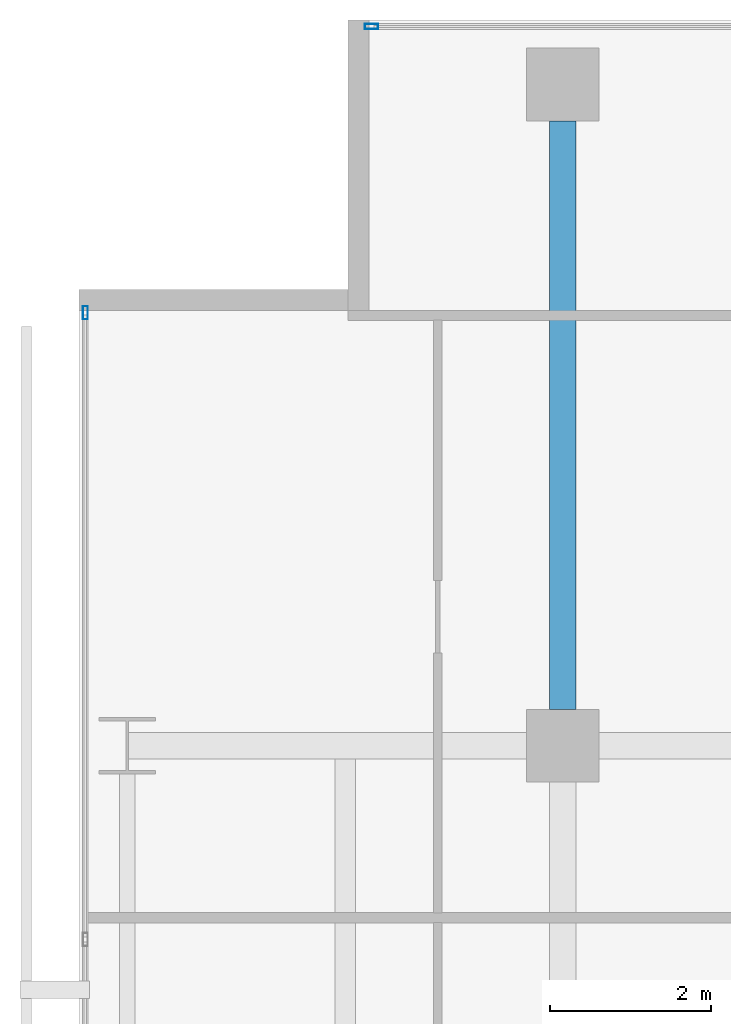
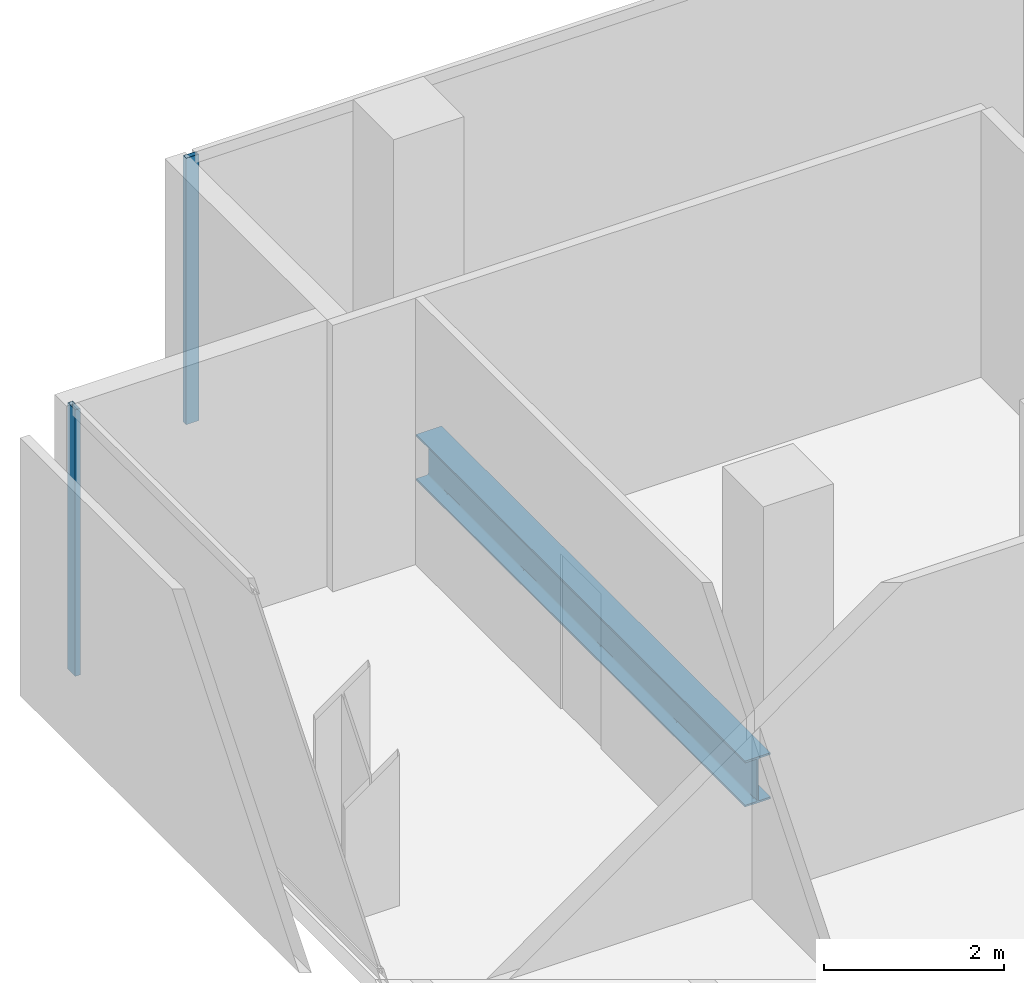
# One storey, part 25 of 40: 2 members, 1 beam, 2 elements without a shape of their own.
"""IFC4 building model written with IfcOpenShell, lengths in metres."""

import ifcopenshell
import ifcopenshell.guid

model = None  # the IFC model being written
_history = None  # IfcOwnerHistory: only IFC2X3 demands one
_inside = {}  # id of a spatial element -> (the spatial element, [elements in it])
_under = {}  # id of a project, library or spatial element -> (it, [spatial elements below it])
_declared = {}  # id of a project -> (the project, [libraries it declares])
_typed = {}  # id of a type object -> (the type object, [elements of that type])
_made_of = {}  # id of a material, layer set ... -> (it, [elements and type objects made of it])


def new_model(schema):
    """Start an empty IFC model of exactly this schema.

    Asked for "IFC4X3", IfcOpenShell would pick the latest addendum, in which some entities
    have other attributes; the version numbers below select the first issue.
    IFC2X3 requires an IfcOwnerHistory on every rooted entity: one is made here for all.
    """
    global model, _history
    if schema == "IFC4X3":
        model = ifcopenshell.file(schema_version=(4, 3, 0, 0))
    else:
        model = ifcopenshell.file(schema=schema)
    _inside.clear()
    _under.clear()
    _declared.clear()
    _typed.clear()
    _made_of.clear()
    _history = None
    if model.schema == "IFC2X3":
        org = make("IfcOrganization", Name="unknown")
        user = make(
            "IfcPersonAndOrganization",
            ThePerson=make("IfcPerson", FamilyName="unknown"),
            TheOrganization=org,
        )
        app = make(
            "IfcApplication",
            ApplicationDeveloper=org,
            Version="unknown",
            ApplicationFullName="unknown",
            ApplicationIdentifier="unknown",
        )
        _history = make(
            "IfcOwnerHistory",
            OwningUser=user,
            OwningApplication=app,
            ChangeAction="ADDED",
            CreationDate=0,
        )
    return model


def make(cls, **values):
    """One entity of the class cls with the attributes given. An attribute that is None is left unset."""
    return model.create_entity(
        cls, **{name: value for name, value in values.items() if value is not None}
    )


def rooted(cls, **values):
    """An entity with a GlobalId (a new one), such as an element, a storey or a relation."""
    return make(cls, GlobalId=ifcopenshell.guid.new(), OwnerHistory=_history, **values)


def si_unit(unit_type, name, prefix=None):
    """IfcSIUnit, for example si_unit("LENGTHUNIT", "METRE", prefix="MILLI")."""
    return make("IfcSIUnit", UnitType=unit_type, Prefix=prefix, Name=name)


def assignment(units):
    """IfcUnitAssignment: the units of a project."""
    return None if units is None else make("IfcUnitAssignment", Units=units)


def point(xyz):
    """IfcCartesianPoint."""
    return None if xyz is None else make("IfcCartesianPoint", Coordinates=xyz)


def direction(xyz):
    """IfcDirection."""
    return None if xyz is None else make("IfcDirection", DirectionRatios=xyz)


def frame(location, z_axis=None, x_axis=None):
    """IfcAxis2Placement3D, a coordinate frame: its origin and axes. An axis left out is left unset."""
    return make(
        "IfcAxis2Placement3D",
        Location=point(location),
        Axis=direction(z_axis),
        RefDirection=direction(x_axis),
    )


def frame_2d(location, x_axis=None):
    """IfcAxis2Placement2D, a coordinate frame in the plane: its origin and x axis."""
    return make(
        "IfcAxis2Placement2D", Location=point(location), RefDirection=direction(x_axis)
    )


def origin():
    """The frame at (0, 0, 0) with its axes left unset."""
    return frame((0.0, 0.0, 0.0))


def origin_2d():
    """The frame at (0, 0) in the plane with its x axis left unset."""
    return frame_2d((0.0, 0.0))


def place(relative_to, where):
    """IfcLocalPlacement: puts the frame where relative to a parent placement (None: the world)."""
    return make(
        "IfcLocalPlacement", PlacementRelTo=relative_to, RelativePlacement=where
    )


def context(
    kind, dimensions, precision=None, world=None, true_north=None, identifier=None
):
    """IfcGeometricRepresentationContext, for example the 3D "Model" context."""
    return make(
        "IfcGeometricRepresentationContext",
        ContextIdentifier=identifier,
        ContextType=kind,
        CoordinateSpaceDimension=dimensions,
        Precision=precision,
        WorldCoordinateSystem=world,
        TrueNorth=true_north,
    )


def subcontext(parent, identifier, kind, view, scale=None):
    """IfcGeometricRepresentationSubContext, for example "Body" below "Model"."""
    return make(
        "IfcGeometricRepresentationSubContext",
        ContextIdentifier=identifier,
        ContextType=kind,
        ParentContext=parent,
        TargetScale=scale,
        TargetView=view,
    )


def project(units=None, contexts=None):
    """IfcProject with its units and contexts."""
    return rooted(
        "IfcProject",
        Name="project",
        RepresentationContexts=contexts,
        UnitsInContext=assignment(units),
    )


def spatial(cls, under=None, at=None, **own):
    """A site, building, storey or space (cls), placed at a placement, below another one or the project."""
    s = rooted(cls, ObjectPlacement=at, **own)
    if under is not None:
        _under.setdefault(under.id(), (under, []))[1].append(s)
    return s


def profile(cls, at=None, kind="AREA", **sizes):
    """A parametric profile (cls). Its sizes go by their IFC names, for example OverallWidth=200.0."""
    return make(cls, ProfileType=kind, Position=at, **sizes)


def hollow_rectangle(**sizes):
    """IfcRectangleHollowProfileDef."""
    return profile("IfcRectangleHollowProfileDef", **sizes)


def i_section(**sizes):
    """IfcIShapeProfileDef."""
    return profile("IfcIShapeProfileDef", **sizes)


def extrude(swept, where, along, depth):
    """IfcExtrudedAreaSolid: the profile swept, set in the frame where, extruded along a direction by depth."""
    return make(
        "IfcExtrudedAreaSolid",
        SweptArea=swept,
        Position=where,
        ExtrudedDirection=direction(along),
        Depth=depth,
    )


def shape(context_of_items, identifier, shape_type, items):
    """IfcShapeRepresentation: the items that make up one representation, for example the "Body"."""
    return make(
        "IfcShapeRepresentation",
        ContextOfItems=context_of_items,
        RepresentationIdentifier=identifier,
        RepresentationType=shape_type,
        Items=items,
    )


def material(Name=None, Category=None):
    """IfcMaterial."""
    return make("IfcMaterial", Name=Name, Category=Category)


def layer(
    of_material, thickness, ventilated=None, Name=None, Category=None, Priority=None
):
    """IfcMaterialLayer: one layer of a wall or slab, of a material (None: an air gap)."""
    return make(
        "IfcMaterialLayer",
        Material=of_material,
        LayerThickness=thickness,
        IsVentilated=ventilated,
        Name=Name,
        Category=Category,
        Priority=Priority,
    )


def layer_set(layers, Name=None):
    """IfcMaterialLayerSet."""
    return make("IfcMaterialLayerSet", MaterialLayers=layers, LayerSetName=Name)


def material_profile(
    of_material, cross_section, Name=None, Category=None, Priority=None
):
    """IfcMaterialProfile: a cross section and its material."""
    return make(
        "IfcMaterialProfile",
        Name=Name,
        Material=of_material,
        Profile=cross_section,
        Priority=Priority,
        Category=Category,
    )


def profile_set(profiles, Name=None, composite=None):
    """IfcMaterialProfileSet."""
    return make(
        "IfcMaterialProfileSet",
        Name=Name,
        MaterialProfiles=profiles,
        CompositeProfile=composite,
    )


def made_of(thing, what):
    """Note that an element or type object is made of a material, layer set ...; save() writes the relation."""
    if what is not None:
        _made_of.setdefault(what.id(), (what, []))[1].append(thing)
    return thing


def type_object(cls, material=None, **own):
    """A type object (cls), such as IfcWallType, which elements share."""
    return made_of(rooted(cls, **own), material)


def element(
    cls,
    number,
    at=None,
    inside=None,
    cuts=None,
    type_object=None,
    material=None,
    context=None,
    identifier="Body",
    shape_type=None,
    held_by="IfcProductDefinitionShape",
    body=None,
    shapes=None,
    **own,
):
    """One element of the class cls, such as IfcWall. Its Tag is "e" and its number.

    at: its placement. inside: the storey or other place that contains it. cuts: it is an
    opening in that element (IfcRelVoidsElement). A single representation is given by context,
    identifier, shape_type and body (its items); several are given by shapes. held_by: the class
    of the entity that holds the representations. save() writes the other relations.
    """
    e = rooted(cls, Tag="e%d" % number, ObjectPlacement=at, **own)
    if body is not None:
        shapes = [shape(context, identifier, shape_type, body)]
    if shapes is not None:
        e.Representation = make(held_by, Representations=shapes)
    if inside is not None:
        _inside.setdefault(inside.id(), (inside, []))[1].append(e)
    if cuts is not None:
        rooted(
            "IfcRelVoidsElement", RelatingBuildingElement=cuts, RelatedOpeningElement=e
        )
    if type_object is not None:
        _typed.setdefault(type_object.id(), (type_object, []))[1].append(e)
    return made_of(e, material)


def aggregate(whole, parts):
    """IfcRelAggregates: a whole, such as a stair, and the parts it consists of."""
    return rooted("IfcRelAggregates", RelatingObject=whole, RelatedObjects=parts)


def save(model, path):
    """Write the relations noted so far, then the file.

    IfcRelAggregates (storeys below a building ...), IfcRelContainedInSpatialStructure (elements
    in a storey), IfcRelDefinesByType, IfcRelAssociatesMaterial and IfcRelDeclares: one each for
    every whole, place, type object, material and project.
    """
    for whole, parts in _under.values():
        aggregate(whole, parts)
    for where, things in _inside.values():
        rooted(
            "IfcRelContainedInSpatialStructure",
            RelatedElements=things,
            RelatingStructure=where,
        )
    for kind, things in _typed.values():
        rooted("IfcRelDefinesByType", RelatedObjects=things, RelatingType=kind)
    for what, things in _made_of.values():
        rooted("IfcRelAssociatesMaterial", RelatedObjects=things, RelatingMaterial=what)
    for by, libraries in _declared.values():
        rooted("IfcRelDeclares", RelatingContext=by, RelatedDefinitions=libraries)
    model.write(path)


model = new_model("IFC4")

# Units and contexts
model_context = context("Model", 3, precision=1e-05, world=origin(), true_north=direction((0.0, 1.0)))
body_context = subcontext(model_context, "Body", "Model", "MODEL_VIEW")
ifc_project = project(units=[si_unit("LENGTHUNIT", "METRE"), si_unit("AREAUNIT", "SQUARE_METRE"), si_unit("VOLUMEUNIT", "CUBIC_METRE"), si_unit("PLANEANGLEUNIT", "RADIAN"), si_unit("MASSUNIT", "GRAM", prefix="KILO")], contexts=[model_context])

# Site, building, storey
site_placement = place(None, origin())
site = spatial("IfcSite", under=ifc_project, at=site_placement, CompositionType="ELEMENT")
building_placement = place(site_placement, origin())
building = spatial("IfcBuilding", under=site, at=building_placement, Name="Maruvema Waterfront Hotel and Observation Tower", CompositionType="ELEMENT")
storey_placement = place(building_placement, frame((0.0, 0.0, 42.35009765625)))
storey = spatial("IfcBuildingStorey", under=building, at=storey_placement, Name="L09", CompositionType="ELEMENT", Elevation=42.35009765625)

# Curtain wall, member
ifc_material_1 = material(Name="Anodised bronze aluminium and solar-control low-E IGU", Category="aluminium")
ifc_layer = layer(ifc_material_1, 0.159912109375, Name="Zone 1 Bronze Inner Thermal Curtain Wall System CW-02")
ifc_layer_set = layer_set([ifc_layer], Name="Anodised bronze aluminium and solar-control low-E IGU")
curtain_wall_type = type_object("IfcCurtainWallType", Name="Zone 1 Bronze Inner Thermal Curtain Wall System CW-02", PredefinedType="USERDEFINED", material=ifc_layer_set)
curtain_wall_1_placement = place(storey_placement, origin())
curtain_wall_1 = element("IfcCurtainWall", 1, at=curtain_wall_1_placement, inside=storey, type_object=curtain_wall_type, Name="L09 Curtain Wall CW-L09-W", ObjectType="UNITISED CURTAIN WALL", PredefinedType="USERDEFINED")
ifc_material_2 = material(Name="Anodised architectural bronze aluminium", Category="aluminium")
ifc_material_profile_1 = material_profile(ifc_material_2, hollow_rectangle(XDim=0.06494140625, YDim=0.1650390625, WallThickness=0.00390625, at=origin_2d()), Name="ALU-M65x165")
ifc_profile_set_1 = profile_set([ifc_material_profile_1], Name="Anodised architectural bronze aluminium")
member_type = type_object("IfcMemberType", Name="Curtain Wall Primary Mullion ALU-M65x165", PredefinedType="MULLION", material=ifc_profile_set_1)
member_1_placement = place(storey_placement, frame((10.8798828125, 50.3701171875, 0.0), z_axis=(0.0, 0.0, 1.0), x_axis=(1.0, 0.0, 0.0)))
member_1 = element("IfcMember", 2, at=member_1_placement, type_object=member_type, Name="CW-02 mullion 1", PredefinedType="MULLION", context=body_context, shape_type="SweptSolid", body=[
    extrude(hollow_rectangle(XDim=0.06494140625, YDim=0.1650390625, WallThickness=0.00390625, at=origin_2d()), origin(), (0.0, 0.0, 1.0), 3.60986328125),
])
aggregate(curtain_wall_1, [member_1])

curtain_wall_2_placement = place(storey_placement, origin())
curtain_wall_2 = element("IfcCurtainWall", 3, at=curtain_wall_2_placement, inside=storey, type_object=curtain_wall_type, Name="L09 Curtain Wall CW-L09-NW", ObjectType="UNITISED CURTAIN WALL", PredefinedType="USERDEFINED")
member_2_placement = place(storey_placement, frame((14.429931640625, 53.919921875, 0.0), z_axis=(0.0, 0.0, 1.0), x_axis=(0.0, -1.0, 0.0)))
member_2 = element("IfcMember", 4, at=member_2_placement, type_object=member_type, Name="CW-02 mullion 2", PredefinedType="MULLION", context=body_context, shape_type="SweptSolid", body=[
    extrude(hollow_rectangle(XDim=0.06494140625, YDim=0.1650390625, WallThickness=0.00390625, at=origin_2d()), origin(), (0.0, 0.0, 1.0), 3.60986328125),
])
aggregate(curtain_wall_2, [member_2])

# Beam
ifc_material_3 = material(Name="Steel ASTM A572 Grade 50", Category="steel")
ifc_material_profile_2 = material_profile(ifc_material_3, i_section(OverallWidth=0.326904296875, OverallDepth=0.6220703125, WebThickness=0.015380859375, FlangeThickness=0.0244140625, FilletRadius=0.01806640625, at=origin_2d()), Name="W610x195.0")
ifc_profile_set_2 = profile_set([ifc_material_profile_2], Name="Steel ASTM A572 Grade 50")
beam_type = type_object("IfcBeamType", Name="Primary Floor Girder W610x195.0", PredefinedType="BEAM", material=ifc_profile_set_2)
beam_placement = place(storey_placement, frame((16.800048828125, 45.449951171875, -0.551025390625), z_axis=(0.0, 1.0, 0.0), x_axis=(-1.0, 0.0, 0.0)))
element("IfcBeam", 5, at=beam_placement, inside=storey, type_object=beam_type, Name="L09 Floor Girder NS-10", PredefinedType="BEAM", context=body_context, shape_type="SweptSolid", body=[
    extrude(i_section(OverallWidth=0.326904296875, OverallDepth=0.6220703125, WebThickness=0.015380859375, FlangeThickness=0.0244140625, FilletRadius=0.01806640625, at=origin_2d()), origin(), (0.0, 0.0, 1.0), 7.300048828125),
])

save(model, "model.ifc")
